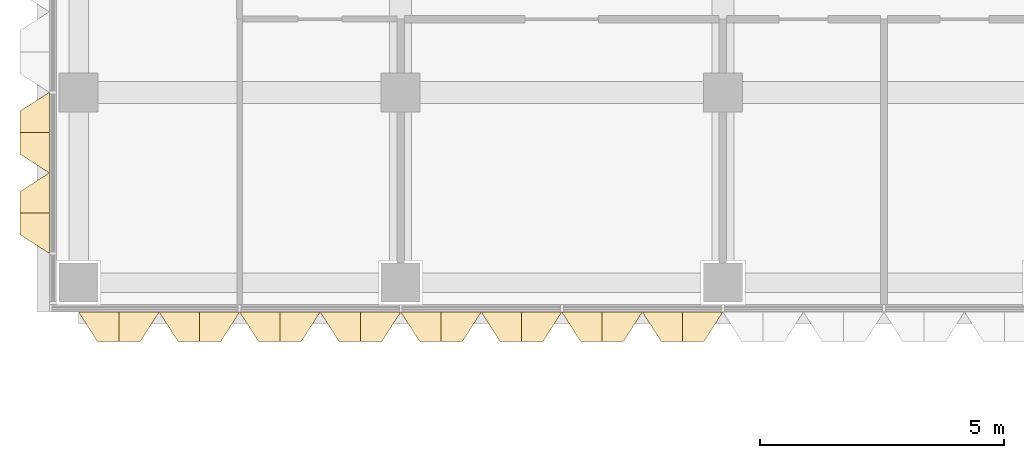
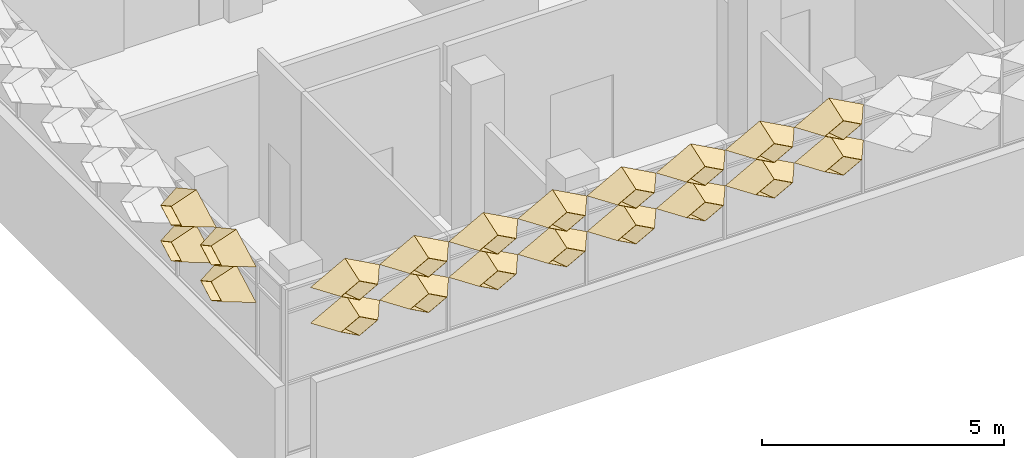
# One storey, part 56 of 102: 20 coverings.
"""IFC4 building model written with IfcOpenShell, lengths in metres."""

from ifc_helpers import new_model, entity, si_unit, direction, frame, origin, place, context, subcontext, project, spatial, material, layer, layer_set, type_object, element, save


model = new_model("IFC4")

# Units and contexts
model_context = context("Model", 3, precision=1e-05, world=origin(), true_north=direction((0.0, 1.0)))
body_context = subcontext(model_context, "Body", "Model", "MODEL_VIEW")
ifc_project = project(units=[si_unit("LENGTHUNIT", "METRE"), si_unit("AREAUNIT", "SQUARE_METRE"), si_unit("VOLUMEUNIT", "CUBIC_METRE"), si_unit("PLANEANGLEUNIT", "RADIAN"), si_unit("MASSUNIT", "GRAM", prefix="KILO")], contexts=[model_context])

# Site, building, storey
site_placement = place(None, origin())
site = spatial("IfcSite", under=ifc_project, at=site_placement, CompositionType="ELEMENT")
building_placement = place(site_placement, origin())
building = spatial("IfcBuilding", under=site, at=building_placement, Name="Lantern Court Research Institute", CompositionType="ELEMENT")
storey_placement = place(building_placement, frame((0.0, 0.0, 9.89990234375)))
storey = spatial("IfcBuildingStorey", under=building, at=storey_placement, Name="L02", CompositionType="ELEMENT", Elevation=9.89990234375)

# Coverings
ifc_material = material(Name="Anodised aluminium", Category="aluminium")
ifc_layer = layer(ifc_material, 0.01611328125)
ifc_layer_set = layer_set([ifc_layer], Name="Anodised aluminium")
covering_type = type_object("IfcCoveringType", Name="Fin cassette 1650 x 900 x 600 aluminium", PredefinedType="CLADDING", material=ifc_layer_set)
covering_1_placement = place(storey_placement, frame((0.824951171875, -4.5, 3.150146484375), z_axis=(0.0, -1.0, 0.0), x_axis=(1.0, 0.0, 0.0)))
cartesian_point_1 = entity("IfcCartesianPoint", [0.824951171875, 0.0])
cartesian_point_2 = entity("IfcCartesianPoint", [0.79150390625, 0.0])
cartesian_point_3 = entity("IfcCartesianPoint", [0.44189453125, 0.0])
cartesian_point_4 = entity("IfcCartesianPoint", [0.43359375, 0.0])
element("IfcCovering", 1, at=covering_1_placement, inside=storey, type_object=covering_type, Name="Fin cassette V4S-L02 4.1", PredefinedType="CLADDING", context=body_context, shape_type="SweptSolid", body=[
    entity("IfcExtrudedAreaSolidTapered", entity("IfcArbitraryProfileDefWithVoids", "AREA", None, entity("IfcPolyline", [cartesian_point_1, entity("IfcCartesianPoint", [0.0, 0.449951171875]), entity("IfcCartesianPoint", [-0.824951171875, 0.0]), entity("IfcCartesianPoint", [0.0, -0.449951171875]), cartesian_point_1]), [entity("IfcPolyline", [cartesian_point_2, entity("IfcCartesianPoint", [0.0, 0.431884765625]), entity("IfcCartesianPoint", [-0.79150390625, 0.0]), entity("IfcCartesianPoint", [0.0, -0.431884765625]), cartesian_point_2])]), entity("IfcAxis2Placement3D", entity("IfcCartesianPoint", [0.0, 0.0, 0.0])), entity("IfcDirection", [0.0, 0.0, 1.0]), 0.60009765625, entity("IfcArbitraryProfileDefWithVoids", "AREA", None, entity("IfcPolyline", [cartesian_point_3, entity("IfcCartesianPoint", [0.0, 0.240966796875]), entity("IfcCartesianPoint", [-0.44189453125, 0.0]), entity("IfcCartesianPoint", [0.0, -0.240966796875]), cartesian_point_3]), [entity("IfcPolyline", [cartesian_point_4, entity("IfcCartesianPoint", [0.0, 0.236572265625]), entity("IfcCartesianPoint", [-0.43359375, 0.0]), entity("IfcCartesianPoint", [0.0, -0.236572265625]), cartesian_point_4])])),
])
covering_2_placement = place(storey_placement, frame((2.47509765625, -4.5, 3.150146484375), z_axis=(0.0, -1.0, 0.0), x_axis=(1.0, 0.0, 0.0)))
cartesian_point_5 = entity("IfcCartesianPoint", [0.824951171875, 0.0])
cartesian_point_6 = entity("IfcCartesianPoint", [0.79150390625, 0.0])
cartesian_point_7 = entity("IfcCartesianPoint", [0.44189453125, 0.0])
cartesian_point_8 = entity("IfcCartesianPoint", [0.43359375, 0.0])
element("IfcCovering", 2, at=covering_2_placement, inside=storey, type_object=covering_type, Name="Fin cassette V4S-L02 4.2", PredefinedType="CLADDING", context=body_context, shape_type="SweptSolid", body=[
    entity("IfcExtrudedAreaSolidTapered", entity("IfcArbitraryProfileDefWithVoids", "AREA", None, entity("IfcPolyline", [cartesian_point_5, entity("IfcCartesianPoint", [0.0, 0.449951171875]), entity("IfcCartesianPoint", [-0.824951171875, 0.0]), entity("IfcCartesianPoint", [0.0, -0.449951171875]), cartesian_point_5]), [entity("IfcPolyline", [cartesian_point_6, entity("IfcCartesianPoint", [0.0, 0.431884765625]), entity("IfcCartesianPoint", [-0.79150390625, 0.0]), entity("IfcCartesianPoint", [0.0, -0.431884765625]), cartesian_point_6])]), entity("IfcAxis2Placement3D", entity("IfcCartesianPoint", [0.0, 0.0, 0.0])), entity("IfcDirection", [0.0, 0.0, 1.0]), 0.60009765625, entity("IfcArbitraryProfileDefWithVoids", "AREA", None, entity("IfcPolyline", [cartesian_point_7, entity("IfcCartesianPoint", [0.0, 0.240966796875]), entity("IfcCartesianPoint", [-0.44189453125, 0.0]), entity("IfcCartesianPoint", [0.0, -0.240966796875]), cartesian_point_7]), [entity("IfcPolyline", [cartesian_point_8, entity("IfcCartesianPoint", [0.0, 0.236572265625]), entity("IfcCartesianPoint", [-0.43359375, 0.0]), entity("IfcCartesianPoint", [0.0, -0.236572265625]), cartesian_point_8])])),
])
covering_3_placement = place(storey_placement, frame((4.125, -4.5, 3.150146484375), z_axis=(0.0, -1.0, 0.0), x_axis=(1.0, 0.0, 0.0)))
cartesian_point_9 = entity("IfcCartesianPoint", [0.824951171875, 0.0])
cartesian_point_10 = entity("IfcCartesianPoint", [0.79150390625, 0.0])
cartesian_point_11 = entity("IfcCartesianPoint", [0.44189453125, 0.0])
cartesian_point_12 = entity("IfcCartesianPoint", [0.43359375, 0.0])
element("IfcCovering", 3, at=covering_3_placement, inside=storey, type_object=covering_type, Name="Fin cassette V4S-L02 4.3", PredefinedType="CLADDING", context=body_context, shape_type="SweptSolid", body=[
    entity("IfcExtrudedAreaSolidTapered", entity("IfcArbitraryProfileDefWithVoids", "AREA", None, entity("IfcPolyline", [cartesian_point_9, entity("IfcCartesianPoint", [0.0, 0.449951171875]), entity("IfcCartesianPoint", [-0.824951171875, 0.0]), entity("IfcCartesianPoint", [0.0, -0.449951171875]), cartesian_point_9]), [entity("IfcPolyline", [cartesian_point_10, entity("IfcCartesianPoint", [0.0, 0.431884765625]), entity("IfcCartesianPoint", [-0.79150390625, 0.0]), entity("IfcCartesianPoint", [0.0, -0.431884765625]), cartesian_point_10])]), entity("IfcAxis2Placement3D", entity("IfcCartesianPoint", [0.0, 0.0, 0.0])), entity("IfcDirection", [0.0, 0.0, 1.0]), 0.60009765625, entity("IfcArbitraryProfileDefWithVoids", "AREA", None, entity("IfcPolyline", [cartesian_point_11, entity("IfcCartesianPoint", [0.0, 0.240966796875]), entity("IfcCartesianPoint", [-0.44189453125, 0.0]), entity("IfcCartesianPoint", [0.0, -0.240966796875]), cartesian_point_11]), [entity("IfcPolyline", [cartesian_point_12, entity("IfcCartesianPoint", [0.0, 0.236572265625]), entity("IfcCartesianPoint", [-0.43359375, 0.0]), entity("IfcCartesianPoint", [0.0, -0.236572265625]), cartesian_point_12])])),
])
covering_4_placement = place(storey_placement, frame((5.77490234375, -4.5, 3.150146484375), z_axis=(0.0, -1.0, 0.0), x_axis=(1.0, 0.0, 0.0)))
cartesian_point_13 = entity("IfcCartesianPoint", [0.824951171875, 0.0])
cartesian_point_14 = entity("IfcCartesianPoint", [0.79150390625, 0.0])
cartesian_point_15 = entity("IfcCartesianPoint", [0.44189453125, 0.0])
cartesian_point_16 = entity("IfcCartesianPoint", [0.43359375, 0.0])
element("IfcCovering", 4, at=covering_4_placement, inside=storey, type_object=covering_type, Name="Fin cassette V4S-L02 4.4", PredefinedType="CLADDING", context=body_context, shape_type="SweptSolid", body=[
    entity("IfcExtrudedAreaSolidTapered", entity("IfcArbitraryProfileDefWithVoids", "AREA", None, entity("IfcPolyline", [cartesian_point_13, entity("IfcCartesianPoint", [0.0, 0.449951171875]), entity("IfcCartesianPoint", [-0.824951171875, 0.0]), entity("IfcCartesianPoint", [0.0, -0.449951171875]), cartesian_point_13]), [entity("IfcPolyline", [cartesian_point_14, entity("IfcCartesianPoint", [0.0, 0.431884765625]), entity("IfcCartesianPoint", [-0.79150390625, 0.0]), entity("IfcCartesianPoint", [0.0, -0.431884765625]), cartesian_point_14])]), entity("IfcAxis2Placement3D", entity("IfcCartesianPoint", [0.0, 0.0, 0.0])), entity("IfcDirection", [0.0, 0.0, 1.0]), 0.60009765625, entity("IfcArbitraryProfileDefWithVoids", "AREA", None, entity("IfcPolyline", [cartesian_point_15, entity("IfcCartesianPoint", [0.0, 0.240966796875]), entity("IfcCartesianPoint", [-0.44189453125, 0.0]), entity("IfcCartesianPoint", [0.0, -0.240966796875]), cartesian_point_15]), [entity("IfcPolyline", [cartesian_point_16, entity("IfcCartesianPoint", [0.0, 0.236572265625]), entity("IfcCartesianPoint", [-0.43359375, 0.0]), entity("IfcCartesianPoint", [0.0, -0.236572265625]), cartesian_point_16])])),
])
covering_5_placement = place(storey_placement, frame((7.425048828125, -4.5, 3.150146484375), z_axis=(0.0, -1.0, 0.0), x_axis=(1.0, 0.0, 0.0)))
cartesian_point_17 = entity("IfcCartesianPoint", [0.824951171875, 0.0])
cartesian_point_18 = entity("IfcCartesianPoint", [0.79150390625, 0.0])
cartesian_point_19 = entity("IfcCartesianPoint", [0.44189453125, 0.0])
cartesian_point_20 = entity("IfcCartesianPoint", [0.43359375, 0.0])
element("IfcCovering", 5, at=covering_5_placement, inside=storey, type_object=covering_type, Name="Fin cassette V4S-L02 4.5", PredefinedType="CLADDING", context=body_context, shape_type="SweptSolid", body=[
    entity("IfcExtrudedAreaSolidTapered", entity("IfcArbitraryProfileDefWithVoids", "AREA", None, entity("IfcPolyline", [cartesian_point_17, entity("IfcCartesianPoint", [0.0, 0.449951171875]), entity("IfcCartesianPoint", [-0.824951171875, 0.0]), entity("IfcCartesianPoint", [0.0, -0.449951171875]), cartesian_point_17]), [entity("IfcPolyline", [cartesian_point_18, entity("IfcCartesianPoint", [0.0, 0.431884765625]), entity("IfcCartesianPoint", [-0.79150390625, 0.0]), entity("IfcCartesianPoint", [0.0, -0.431884765625]), cartesian_point_18])]), entity("IfcAxis2Placement3D", entity("IfcCartesianPoint", [0.0, 0.0, 0.0])), entity("IfcDirection", [0.0, 0.0, 1.0]), 0.60009765625, entity("IfcArbitraryProfileDefWithVoids", "AREA", None, entity("IfcPolyline", [cartesian_point_19, entity("IfcCartesianPoint", [0.0, 0.240966796875]), entity("IfcCartesianPoint", [-0.44189453125, 0.0]), entity("IfcCartesianPoint", [0.0, -0.240966796875]), cartesian_point_19]), [entity("IfcPolyline", [cartesian_point_20, entity("IfcCartesianPoint", [0.0, 0.236572265625]), entity("IfcCartesianPoint", [-0.43359375, 0.0]), entity("IfcCartesianPoint", [0.0, -0.236572265625]), cartesian_point_20])])),
])
covering_6_placement = place(storey_placement, frame((9.074951171875, -4.5, 3.150146484375), z_axis=(0.0, -1.0, 0.0), x_axis=(1.0, 0.0, 0.0)))
cartesian_point_21 = entity("IfcCartesianPoint", [0.824951171875, 0.0])
cartesian_point_22 = entity("IfcCartesianPoint", [0.79150390625, 0.0])
cartesian_point_23 = entity("IfcCartesianPoint", [0.44189453125, 0.0])
cartesian_point_24 = entity("IfcCartesianPoint", [0.43359375, 0.0])
element("IfcCovering", 6, at=covering_6_placement, inside=storey, type_object=covering_type, Name="Fin cassette V4S-L02 4.6", PredefinedType="CLADDING", context=body_context, shape_type="SweptSolid", body=[
    entity("IfcExtrudedAreaSolidTapered", entity("IfcArbitraryProfileDefWithVoids", "AREA", None, entity("IfcPolyline", [cartesian_point_21, entity("IfcCartesianPoint", [0.0, 0.449951171875]), entity("IfcCartesianPoint", [-0.824951171875, 0.0]), entity("IfcCartesianPoint", [0.0, -0.449951171875]), cartesian_point_21]), [entity("IfcPolyline", [cartesian_point_22, entity("IfcCartesianPoint", [0.0, 0.431884765625]), entity("IfcCartesianPoint", [-0.79150390625, 0.0]), entity("IfcCartesianPoint", [0.0, -0.431884765625]), cartesian_point_22])]), entity("IfcAxis2Placement3D", entity("IfcCartesianPoint", [0.0, 0.0, 0.0])), entity("IfcDirection", [0.0, 0.0, 1.0]), 0.60009765625, entity("IfcArbitraryProfileDefWithVoids", "AREA", None, entity("IfcPolyline", [cartesian_point_23, entity("IfcCartesianPoint", [0.0, 0.240966796875]), entity("IfcCartesianPoint", [-0.44189453125, 0.0]), entity("IfcCartesianPoint", [0.0, -0.240966796875]), cartesian_point_23]), [entity("IfcPolyline", [cartesian_point_24, entity("IfcCartesianPoint", [0.0, 0.236572265625]), entity("IfcCartesianPoint", [-0.43359375, 0.0]), entity("IfcCartesianPoint", [0.0, -0.236572265625]), cartesian_point_24])])),
])
covering_7_placement = place(storey_placement, frame((10.72509765625, -4.5, 3.150146484375), z_axis=(0.0, -1.0, 0.0), x_axis=(1.0, 0.0, 0.0)))
cartesian_point_25 = entity("IfcCartesianPoint", [0.824951171875, 0.0])
cartesian_point_26 = entity("IfcCartesianPoint", [0.79150390625, 0.0])
cartesian_point_27 = entity("IfcCartesianPoint", [0.44189453125, 0.0])
cartesian_point_28 = entity("IfcCartesianPoint", [0.43359375, 0.0])
element("IfcCovering", 7, at=covering_7_placement, inside=storey, type_object=covering_type, Name="Fin cassette V4S-L02 4.7", PredefinedType="CLADDING", context=body_context, shape_type="SweptSolid", body=[
    entity("IfcExtrudedAreaSolidTapered", entity("IfcArbitraryProfileDefWithVoids", "AREA", None, entity("IfcPolyline", [cartesian_point_25, entity("IfcCartesianPoint", [0.0, 0.449951171875]), entity("IfcCartesianPoint", [-0.824951171875, 0.0]), entity("IfcCartesianPoint", [0.0, -0.449951171875]), cartesian_point_25]), [entity("IfcPolyline", [cartesian_point_26, entity("IfcCartesianPoint", [0.0, 0.431884765625]), entity("IfcCartesianPoint", [-0.79150390625, 0.0]), entity("IfcCartesianPoint", [0.0, -0.431884765625]), cartesian_point_26])]), entity("IfcAxis2Placement3D", entity("IfcCartesianPoint", [0.0, 0.0, 0.0])), entity("IfcDirection", [0.0, 0.0, 1.0]), 0.60009765625, entity("IfcArbitraryProfileDefWithVoids", "AREA", None, entity("IfcPolyline", [cartesian_point_27, entity("IfcCartesianPoint", [0.0, 0.240966796875]), entity("IfcCartesianPoint", [-0.44189453125, 0.0]), entity("IfcCartesianPoint", [0.0, -0.240966796875]), cartesian_point_27]), [entity("IfcPolyline", [cartesian_point_28, entity("IfcCartesianPoint", [0.0, 0.236572265625]), entity("IfcCartesianPoint", [-0.43359375, 0.0]), entity("IfcCartesianPoint", [0.0, -0.236572265625]), cartesian_point_28])])),
])
covering_8_placement = place(storey_placement, frame((12.375, -4.5, 3.150146484375), z_axis=(0.0, -1.0, 0.0), x_axis=(1.0, 0.0, 0.0)))
cartesian_point_29 = entity("IfcCartesianPoint", [0.824951171875, 0.0])
cartesian_point_30 = entity("IfcCartesianPoint", [0.79150390625, 0.0])
cartesian_point_31 = entity("IfcCartesianPoint", [0.44189453125, 0.0])
cartesian_point_32 = entity("IfcCartesianPoint", [0.43359375, 0.0])
element("IfcCovering", 8, at=covering_8_placement, inside=storey, type_object=covering_type, Name="Fin cassette V4S-L02 4.8", PredefinedType="CLADDING", context=body_context, shape_type="SweptSolid", body=[
    entity("IfcExtrudedAreaSolidTapered", entity("IfcArbitraryProfileDefWithVoids", "AREA", None, entity("IfcPolyline", [cartesian_point_29, entity("IfcCartesianPoint", [0.0, 0.449951171875]), entity("IfcCartesianPoint", [-0.824951171875, 0.0]), entity("IfcCartesianPoint", [0.0, -0.449951171875]), cartesian_point_29]), [entity("IfcPolyline", [cartesian_point_30, entity("IfcCartesianPoint", [0.0, 0.431884765625]), entity("IfcCartesianPoint", [-0.79150390625, 0.0]), entity("IfcCartesianPoint", [0.0, -0.431884765625]), cartesian_point_30])]), entity("IfcAxis2Placement3D", entity("IfcCartesianPoint", [0.0, 0.0, 0.0])), entity("IfcDirection", [0.0, 0.0, 1.0]), 0.60009765625, entity("IfcArbitraryProfileDefWithVoids", "AREA", None, entity("IfcPolyline", [cartesian_point_31, entity("IfcCartesianPoint", [0.0, 0.240966796875]), entity("IfcCartesianPoint", [-0.44189453125, 0.0]), entity("IfcCartesianPoint", [0.0, -0.240966796875]), cartesian_point_31]), [entity("IfcPolyline", [cartesian_point_32, entity("IfcCartesianPoint", [0.0, 0.236572265625]), entity("IfcCartesianPoint", [-0.43359375, 0.0]), entity("IfcCartesianPoint", [0.0, -0.236572265625]), cartesian_point_32])])),
])
covering_9_placement = place(storey_placement, frame((0.824951171875, -4.5, 4.050048828125), z_axis=(0.0, -1.0, 0.0), x_axis=(1.0, 0.0, 0.0)))
cartesian_point_33 = entity("IfcCartesianPoint", [0.824951171875, 0.0])
cartesian_point_34 = entity("IfcCartesianPoint", [0.79150390625, 0.0])
cartesian_point_35 = entity("IfcCartesianPoint", [0.44189453125, 0.0])
cartesian_point_36 = entity("IfcCartesianPoint", [0.43359375, 0.0])
element("IfcCovering", 9, at=covering_9_placement, inside=storey, type_object=covering_type, Name="Fin cassette V4S-L02 5.1", PredefinedType="CLADDING", context=body_context, shape_type="SweptSolid", body=[
    entity("IfcExtrudedAreaSolidTapered", entity("IfcArbitraryProfileDefWithVoids", "AREA", None, entity("IfcPolyline", [cartesian_point_33, entity("IfcCartesianPoint", [0.0, 0.449951171875]), entity("IfcCartesianPoint", [-0.824951171875, 0.0]), entity("IfcCartesianPoint", [0.0, -0.449951171875]), cartesian_point_33]), [entity("IfcPolyline", [cartesian_point_34, entity("IfcCartesianPoint", [0.0, 0.431884765625]), entity("IfcCartesianPoint", [-0.79150390625, 0.0]), entity("IfcCartesianPoint", [0.0, -0.431884765625]), cartesian_point_34])]), entity("IfcAxis2Placement3D", entity("IfcCartesianPoint", [0.0, 0.0, 0.0])), entity("IfcDirection", [0.0, 0.0, 1.0]), 0.60009765625, entity("IfcArbitraryProfileDefWithVoids", "AREA", None, entity("IfcPolyline", [cartesian_point_35, entity("IfcCartesianPoint", [0.0, 0.240966796875]), entity("IfcCartesianPoint", [-0.44189453125, 0.0]), entity("IfcCartesianPoint", [0.0, -0.240966796875]), cartesian_point_35]), [entity("IfcPolyline", [cartesian_point_36, entity("IfcCartesianPoint", [0.0, 0.236572265625]), entity("IfcCartesianPoint", [-0.43359375, 0.0]), entity("IfcCartesianPoint", [0.0, -0.236572265625]), cartesian_point_36])])),
])
covering_10_placement = place(storey_placement, frame((2.47509765625, -4.5, 4.050048828125), z_axis=(0.0, -1.0, 0.0), x_axis=(1.0, 0.0, 0.0)))
cartesian_point_37 = entity("IfcCartesianPoint", [0.824951171875, 0.0])
cartesian_point_38 = entity("IfcCartesianPoint", [0.79150390625, 0.0])
cartesian_point_39 = entity("IfcCartesianPoint", [0.44189453125, 0.0])
cartesian_point_40 = entity("IfcCartesianPoint", [0.43359375, 0.0])
element("IfcCovering", 10, at=covering_10_placement, inside=storey, type_object=covering_type, Name="Fin cassette V4S-L02 5.2", PredefinedType="CLADDING", context=body_context, shape_type="SweptSolid", body=[
    entity("IfcExtrudedAreaSolidTapered", entity("IfcArbitraryProfileDefWithVoids", "AREA", None, entity("IfcPolyline", [cartesian_point_37, entity("IfcCartesianPoint", [0.0, 0.449951171875]), entity("IfcCartesianPoint", [-0.824951171875, 0.0]), entity("IfcCartesianPoint", [0.0, -0.449951171875]), cartesian_point_37]), [entity("IfcPolyline", [cartesian_point_38, entity("IfcCartesianPoint", [0.0, 0.431884765625]), entity("IfcCartesianPoint", [-0.79150390625, 0.0]), entity("IfcCartesianPoint", [0.0, -0.431884765625]), cartesian_point_38])]), entity("IfcAxis2Placement3D", entity("IfcCartesianPoint", [0.0, 0.0, 0.0])), entity("IfcDirection", [0.0, 0.0, 1.0]), 0.60009765625, entity("IfcArbitraryProfileDefWithVoids", "AREA", None, entity("IfcPolyline", [cartesian_point_39, entity("IfcCartesianPoint", [0.0, 0.240966796875]), entity("IfcCartesianPoint", [-0.44189453125, 0.0]), entity("IfcCartesianPoint", [0.0, -0.240966796875]), cartesian_point_39]), [entity("IfcPolyline", [cartesian_point_40, entity("IfcCartesianPoint", [0.0, 0.236572265625]), entity("IfcCartesianPoint", [-0.43359375, 0.0]), entity("IfcCartesianPoint", [0.0, -0.236572265625]), cartesian_point_40])])),
])
covering_11_placement = place(storey_placement, frame((4.125, -4.5, 4.050048828125), z_axis=(0.0, -1.0, 0.0), x_axis=(1.0, 0.0, 0.0)))
cartesian_point_41 = entity("IfcCartesianPoint", [0.824951171875, 0.0])
cartesian_point_42 = entity("IfcCartesianPoint", [0.79150390625, 0.0])
cartesian_point_43 = entity("IfcCartesianPoint", [0.44189453125, 0.0])
cartesian_point_44 = entity("IfcCartesianPoint", [0.43359375, 0.0])
element("IfcCovering", 11, at=covering_11_placement, inside=storey, type_object=covering_type, Name="Fin cassette V4S-L02 5.3", PredefinedType="CLADDING", context=body_context, shape_type="SweptSolid", body=[
    entity("IfcExtrudedAreaSolidTapered", entity("IfcArbitraryProfileDefWithVoids", "AREA", None, entity("IfcPolyline", [cartesian_point_41, entity("IfcCartesianPoint", [0.0, 0.449951171875]), entity("IfcCartesianPoint", [-0.824951171875, 0.0]), entity("IfcCartesianPoint", [0.0, -0.449951171875]), cartesian_point_41]), [entity("IfcPolyline", [cartesian_point_42, entity("IfcCartesianPoint", [0.0, 0.431884765625]), entity("IfcCartesianPoint", [-0.79150390625, 0.0]), entity("IfcCartesianPoint", [0.0, -0.431884765625]), cartesian_point_42])]), entity("IfcAxis2Placement3D", entity("IfcCartesianPoint", [0.0, 0.0, 0.0])), entity("IfcDirection", [0.0, 0.0, 1.0]), 0.60009765625, entity("IfcArbitraryProfileDefWithVoids", "AREA", None, entity("IfcPolyline", [cartesian_point_43, entity("IfcCartesianPoint", [0.0, 0.240966796875]), entity("IfcCartesianPoint", [-0.44189453125, 0.0]), entity("IfcCartesianPoint", [0.0, -0.240966796875]), cartesian_point_43]), [entity("IfcPolyline", [cartesian_point_44, entity("IfcCartesianPoint", [0.0, 0.236572265625]), entity("IfcCartesianPoint", [-0.43359375, 0.0]), entity("IfcCartesianPoint", [0.0, -0.236572265625]), cartesian_point_44])])),
])
covering_12_placement = place(storey_placement, frame((5.77490234375, -4.5, 4.050048828125), z_axis=(0.0, -1.0, 0.0), x_axis=(1.0, 0.0, 0.0)))
cartesian_point_45 = entity("IfcCartesianPoint", [0.824951171875, 0.0])
cartesian_point_46 = entity("IfcCartesianPoint", [0.79150390625, 0.0])
cartesian_point_47 = entity("IfcCartesianPoint", [0.44189453125, 0.0])
cartesian_point_48 = entity("IfcCartesianPoint", [0.43359375, 0.0])
element("IfcCovering", 12, at=covering_12_placement, inside=storey, type_object=covering_type, Name="Fin cassette V4S-L02 5.4", PredefinedType="CLADDING", context=body_context, shape_type="SweptSolid", body=[
    entity("IfcExtrudedAreaSolidTapered", entity("IfcArbitraryProfileDefWithVoids", "AREA", None, entity("IfcPolyline", [cartesian_point_45, entity("IfcCartesianPoint", [0.0, 0.449951171875]), entity("IfcCartesianPoint", [-0.824951171875, 0.0]), entity("IfcCartesianPoint", [0.0, -0.449951171875]), cartesian_point_45]), [entity("IfcPolyline", [cartesian_point_46, entity("IfcCartesianPoint", [0.0, 0.431884765625]), entity("IfcCartesianPoint", [-0.79150390625, 0.0]), entity("IfcCartesianPoint", [0.0, -0.431884765625]), cartesian_point_46])]), entity("IfcAxis2Placement3D", entity("IfcCartesianPoint", [0.0, 0.0, 0.0])), entity("IfcDirection", [0.0, 0.0, 1.0]), 0.60009765625, entity("IfcArbitraryProfileDefWithVoids", "AREA", None, entity("IfcPolyline", [cartesian_point_47, entity("IfcCartesianPoint", [0.0, 0.240966796875]), entity("IfcCartesianPoint", [-0.44189453125, 0.0]), entity("IfcCartesianPoint", [0.0, -0.240966796875]), cartesian_point_47]), [entity("IfcPolyline", [cartesian_point_48, entity("IfcCartesianPoint", [0.0, 0.236572265625]), entity("IfcCartesianPoint", [-0.43359375, 0.0]), entity("IfcCartesianPoint", [0.0, -0.236572265625]), cartesian_point_48])])),
])
covering_13_placement = place(storey_placement, frame((7.425048828125, -4.5, 4.050048828125), z_axis=(0.0, -1.0, 0.0), x_axis=(1.0, 0.0, 0.0)))
cartesian_point_49 = entity("IfcCartesianPoint", [0.824951171875, 0.0])
cartesian_point_50 = entity("IfcCartesianPoint", [0.79150390625, 0.0])
cartesian_point_51 = entity("IfcCartesianPoint", [0.44189453125, 0.0])
cartesian_point_52 = entity("IfcCartesianPoint", [0.43359375, 0.0])
element("IfcCovering", 13, at=covering_13_placement, inside=storey, type_object=covering_type, Name="Fin cassette V4S-L02 5.5", PredefinedType="CLADDING", context=body_context, shape_type="SweptSolid", body=[
    entity("IfcExtrudedAreaSolidTapered", entity("IfcArbitraryProfileDefWithVoids", "AREA", None, entity("IfcPolyline", [cartesian_point_49, entity("IfcCartesianPoint", [0.0, 0.449951171875]), entity("IfcCartesianPoint", [-0.824951171875, 0.0]), entity("IfcCartesianPoint", [0.0, -0.449951171875]), cartesian_point_49]), [entity("IfcPolyline", [cartesian_point_50, entity("IfcCartesianPoint", [0.0, 0.431884765625]), entity("IfcCartesianPoint", [-0.79150390625, 0.0]), entity("IfcCartesianPoint", [0.0, -0.431884765625]), cartesian_point_50])]), entity("IfcAxis2Placement3D", entity("IfcCartesianPoint", [0.0, 0.0, 0.0])), entity("IfcDirection", [0.0, 0.0, 1.0]), 0.60009765625, entity("IfcArbitraryProfileDefWithVoids", "AREA", None, entity("IfcPolyline", [cartesian_point_51, entity("IfcCartesianPoint", [0.0, 0.240966796875]), entity("IfcCartesianPoint", [-0.44189453125, 0.0]), entity("IfcCartesianPoint", [0.0, -0.240966796875]), cartesian_point_51]), [entity("IfcPolyline", [cartesian_point_52, entity("IfcCartesianPoint", [0.0, 0.236572265625]), entity("IfcCartesianPoint", [-0.43359375, 0.0]), entity("IfcCartesianPoint", [0.0, -0.236572265625]), cartesian_point_52])])),
])
covering_14_placement = place(storey_placement, frame((9.074951171875, -4.5, 4.050048828125), z_axis=(0.0, -1.0, 0.0), x_axis=(1.0, 0.0, 0.0)))
cartesian_point_53 = entity("IfcCartesianPoint", [0.824951171875, 0.0])
cartesian_point_54 = entity("IfcCartesianPoint", [0.79150390625, 0.0])
cartesian_point_55 = entity("IfcCartesianPoint", [0.44189453125, 0.0])
cartesian_point_56 = entity("IfcCartesianPoint", [0.43359375, 0.0])
element("IfcCovering", 14, at=covering_14_placement, inside=storey, type_object=covering_type, Name="Fin cassette V4S-L02 5.6", PredefinedType="CLADDING", context=body_context, shape_type="SweptSolid", body=[
    entity("IfcExtrudedAreaSolidTapered", entity("IfcArbitraryProfileDefWithVoids", "AREA", None, entity("IfcPolyline", [cartesian_point_53, entity("IfcCartesianPoint", [0.0, 0.449951171875]), entity("IfcCartesianPoint", [-0.824951171875, 0.0]), entity("IfcCartesianPoint", [0.0, -0.449951171875]), cartesian_point_53]), [entity("IfcPolyline", [cartesian_point_54, entity("IfcCartesianPoint", [0.0, 0.431884765625]), entity("IfcCartesianPoint", [-0.79150390625, 0.0]), entity("IfcCartesianPoint", [0.0, -0.431884765625]), cartesian_point_54])]), entity("IfcAxis2Placement3D", entity("IfcCartesianPoint", [0.0, 0.0, 0.0])), entity("IfcDirection", [0.0, 0.0, 1.0]), 0.60009765625, entity("IfcArbitraryProfileDefWithVoids", "AREA", None, entity("IfcPolyline", [cartesian_point_55, entity("IfcCartesianPoint", [0.0, 0.240966796875]), entity("IfcCartesianPoint", [-0.44189453125, 0.0]), entity("IfcCartesianPoint", [0.0, -0.240966796875]), cartesian_point_55]), [entity("IfcPolyline", [cartesian_point_56, entity("IfcCartesianPoint", [0.0, 0.236572265625]), entity("IfcCartesianPoint", [-0.43359375, 0.0]), entity("IfcCartesianPoint", [0.0, -0.236572265625]), cartesian_point_56])])),
])
covering_15_placement = place(storey_placement, frame((10.72509765625, -4.5, 4.050048828125), z_axis=(0.0, -1.0, 0.0), x_axis=(1.0, 0.0, 0.0)))
cartesian_point_57 = entity("IfcCartesianPoint", [0.824951171875, 0.0])
cartesian_point_58 = entity("IfcCartesianPoint", [0.79150390625, 0.0])
cartesian_point_59 = entity("IfcCartesianPoint", [0.44189453125, 0.0])
cartesian_point_60 = entity("IfcCartesianPoint", [0.43359375, 0.0])
element("IfcCovering", 15, at=covering_15_placement, inside=storey, type_object=covering_type, Name="Fin cassette V4S-L02 5.7", PredefinedType="CLADDING", context=body_context, shape_type="SweptSolid", body=[
    entity("IfcExtrudedAreaSolidTapered", entity("IfcArbitraryProfileDefWithVoids", "AREA", None, entity("IfcPolyline", [cartesian_point_57, entity("IfcCartesianPoint", [0.0, 0.449951171875]), entity("IfcCartesianPoint", [-0.824951171875, 0.0]), entity("IfcCartesianPoint", [0.0, -0.449951171875]), cartesian_point_57]), [entity("IfcPolyline", [cartesian_point_58, entity("IfcCartesianPoint", [0.0, 0.431884765625]), entity("IfcCartesianPoint", [-0.79150390625, 0.0]), entity("IfcCartesianPoint", [0.0, -0.431884765625]), cartesian_point_58])]), entity("IfcAxis2Placement3D", entity("IfcCartesianPoint", [0.0, 0.0, 0.0])), entity("IfcDirection", [0.0, 0.0, 1.0]), 0.60009765625, entity("IfcArbitraryProfileDefWithVoids", "AREA", None, entity("IfcPolyline", [cartesian_point_59, entity("IfcCartesianPoint", [0.0, 0.240966796875]), entity("IfcCartesianPoint", [-0.44189453125, 0.0]), entity("IfcCartesianPoint", [0.0, -0.240966796875]), cartesian_point_59]), [entity("IfcPolyline", [cartesian_point_60, entity("IfcCartesianPoint", [0.0, 0.236572265625]), entity("IfcCartesianPoint", [-0.43359375, 0.0]), entity("IfcCartesianPoint", [0.0, -0.236572265625]), cartesian_point_60])])),
])
covering_16_placement = place(storey_placement, frame((12.375, -4.5, 4.050048828125), z_axis=(0.0, -1.0, 0.0), x_axis=(1.0, 0.0, 0.0)))
cartesian_point_61 = entity("IfcCartesianPoint", [0.824951171875, 0.0])
cartesian_point_62 = entity("IfcCartesianPoint", [0.79150390625, 0.0])
cartesian_point_63 = entity("IfcCartesianPoint", [0.44189453125, 0.0])
cartesian_point_64 = entity("IfcCartesianPoint", [0.43359375, 0.0])
element("IfcCovering", 16, at=covering_16_placement, inside=storey, type_object=covering_type, Name="Fin cassette V4S-L02 5.8", PredefinedType="CLADDING", context=body_context, shape_type="SweptSolid", body=[
    entity("IfcExtrudedAreaSolidTapered", entity("IfcArbitraryProfileDefWithVoids", "AREA", None, entity("IfcPolyline", [cartesian_point_61, entity("IfcCartesianPoint", [0.0, 0.449951171875]), entity("IfcCartesianPoint", [-0.824951171875, 0.0]), entity("IfcCartesianPoint", [0.0, -0.449951171875]), cartesian_point_61]), [entity("IfcPolyline", [cartesian_point_62, entity("IfcCartesianPoint", [0.0, 0.431884765625]), entity("IfcCartesianPoint", [-0.79150390625, 0.0]), entity("IfcCartesianPoint", [0.0, -0.431884765625]), cartesian_point_62])]), entity("IfcAxis2Placement3D", entity("IfcCartesianPoint", [0.0, 0.0, 0.0])), entity("IfcDirection", [0.0, 0.0, 1.0]), 0.60009765625, entity("IfcArbitraryProfileDefWithVoids", "AREA", None, entity("IfcPolyline", [cartesian_point_63, entity("IfcCartesianPoint", [0.0, 0.240966796875]), entity("IfcCartesianPoint", [-0.44189453125, 0.0]), entity("IfcCartesianPoint", [0.0, -0.240966796875]), cartesian_point_63]), [entity("IfcPolyline", [cartesian_point_64, entity("IfcCartesianPoint", [0.0, 0.236572265625]), entity("IfcCartesianPoint", [-0.43359375, 0.0]), entity("IfcCartesianPoint", [0.0, -0.236572265625]), cartesian_point_64])])),
])
covering_17_placement = place(storey_placement, frame((-0.60009765625, -2.47509765625, 3.150146484375), z_axis=(-1.0, 0.0, 0.0), x_axis=(0.0, -1.0, 0.0)))
cartesian_point_65 = entity("IfcCartesianPoint", [0.824951171875, 0.0])
cartesian_point_66 = entity("IfcCartesianPoint", [0.79150390625, 0.0])
cartesian_point_67 = entity("IfcCartesianPoint", [0.44189453125, 0.0])
cartesian_point_68 = entity("IfcCartesianPoint", [0.43359375, 0.0])
element("IfcCovering", 17, at=covering_17_placement, inside=storey, type_object=covering_type, Name="Fin cassette V4W-L02 4.-1", PredefinedType="CLADDING", context=body_context, shape_type="SweptSolid", body=[
    entity("IfcExtrudedAreaSolidTapered", entity("IfcArbitraryProfileDefWithVoids", "AREA", None, entity("IfcPolyline", [cartesian_point_65, entity("IfcCartesianPoint", [0.0, 0.449951171875]), entity("IfcCartesianPoint", [-0.824951171875, 0.0]), entity("IfcCartesianPoint", [0.0, -0.449951171875]), cartesian_point_65]), [entity("IfcPolyline", [cartesian_point_66, entity("IfcCartesianPoint", [0.0, 0.431884765625]), entity("IfcCartesianPoint", [-0.79150390625, 0.0]), entity("IfcCartesianPoint", [0.0, -0.431884765625]), cartesian_point_66])]), entity("IfcAxis2Placement3D", entity("IfcCartesianPoint", [0.0, 0.0, 0.0])), entity("IfcDirection", [0.0, 0.0, 1.0]), 0.60009765625, entity("IfcArbitraryProfileDefWithVoids", "AREA", None, entity("IfcPolyline", [cartesian_point_67, entity("IfcCartesianPoint", [0.0, 0.240966796875]), entity("IfcCartesianPoint", [-0.44189453125, 0.0]), entity("IfcCartesianPoint", [0.0, -0.240966796875]), cartesian_point_67]), [entity("IfcPolyline", [cartesian_point_68, entity("IfcCartesianPoint", [0.0, 0.236572265625]), entity("IfcCartesianPoint", [-0.43359375, 0.0]), entity("IfcCartesianPoint", [0.0, -0.236572265625]), cartesian_point_68])])),
])
covering_18_placement = place(storey_placement, frame((-0.60009765625, -0.824951171875, 3.150146484375), z_axis=(-1.0, 0.0, 0.0), x_axis=(0.0, -1.0, 0.0)))
cartesian_point_69 = entity("IfcCartesianPoint", [0.824951171875, 0.0])
cartesian_point_70 = entity("IfcCartesianPoint", [0.79150390625, 0.0])
cartesian_point_71 = entity("IfcCartesianPoint", [0.44189453125, 0.0])
cartesian_point_72 = entity("IfcCartesianPoint", [0.43359375, 0.0])
element("IfcCovering", 18, at=covering_18_placement, inside=storey, type_object=covering_type, Name="Fin cassette V4W-L02 4.0", PredefinedType="CLADDING", context=body_context, shape_type="SweptSolid", body=[
    entity("IfcExtrudedAreaSolidTapered", entity("IfcArbitraryProfileDefWithVoids", "AREA", None, entity("IfcPolyline", [cartesian_point_69, entity("IfcCartesianPoint", [0.0, 0.449951171875]), entity("IfcCartesianPoint", [-0.824951171875, 0.0]), entity("IfcCartesianPoint", [0.0, -0.449951171875]), cartesian_point_69]), [entity("IfcPolyline", [cartesian_point_70, entity("IfcCartesianPoint", [0.0, 0.431884765625]), entity("IfcCartesianPoint", [-0.79150390625, 0.0]), entity("IfcCartesianPoint", [0.0, -0.431884765625]), cartesian_point_70])]), entity("IfcAxis2Placement3D", entity("IfcCartesianPoint", [0.0, 0.0, 0.0])), entity("IfcDirection", [0.0, 0.0, 1.0]), 0.60009765625, entity("IfcArbitraryProfileDefWithVoids", "AREA", None, entity("IfcPolyline", [cartesian_point_71, entity("IfcCartesianPoint", [0.0, 0.240966796875]), entity("IfcCartesianPoint", [-0.44189453125, 0.0]), entity("IfcCartesianPoint", [0.0, -0.240966796875]), cartesian_point_71]), [entity("IfcPolyline", [cartesian_point_72, entity("IfcCartesianPoint", [0.0, 0.236572265625]), entity("IfcCartesianPoint", [-0.43359375, 0.0]), entity("IfcCartesianPoint", [0.0, -0.236572265625]), cartesian_point_72])])),
])
covering_19_placement = place(storey_placement, frame((-0.60009765625, -2.47509765625, 4.050048828125), z_axis=(-1.0, 0.0, 0.0), x_axis=(0.0, -1.0, 0.0)))
cartesian_point_73 = entity("IfcCartesianPoint", [0.824951171875, 0.0])
cartesian_point_74 = entity("IfcCartesianPoint", [0.79150390625, 0.0])
cartesian_point_75 = entity("IfcCartesianPoint", [0.44189453125, 0.0])
cartesian_point_76 = entity("IfcCartesianPoint", [0.43359375, 0.0])
element("IfcCovering", 19, at=covering_19_placement, inside=storey, type_object=covering_type, Name="Fin cassette V4W-L02 5.-1", PredefinedType="CLADDING", context=body_context, shape_type="SweptSolid", body=[
    entity("IfcExtrudedAreaSolidTapered", entity("IfcArbitraryProfileDefWithVoids", "AREA", None, entity("IfcPolyline", [cartesian_point_73, entity("IfcCartesianPoint", [0.0, 0.449951171875]), entity("IfcCartesianPoint", [-0.824951171875, 0.0]), entity("IfcCartesianPoint", [0.0, -0.449951171875]), cartesian_point_73]), [entity("IfcPolyline", [cartesian_point_74, entity("IfcCartesianPoint", [0.0, 0.431884765625]), entity("IfcCartesianPoint", [-0.79150390625, 0.0]), entity("IfcCartesianPoint", [0.0, -0.431884765625]), cartesian_point_74])]), entity("IfcAxis2Placement3D", entity("IfcCartesianPoint", [0.0, 0.0, 0.0])), entity("IfcDirection", [0.0, 0.0, 1.0]), 0.60009765625, entity("IfcArbitraryProfileDefWithVoids", "AREA", None, entity("IfcPolyline", [cartesian_point_75, entity("IfcCartesianPoint", [0.0, 0.240966796875]), entity("IfcCartesianPoint", [-0.44189453125, 0.0]), entity("IfcCartesianPoint", [0.0, -0.240966796875]), cartesian_point_75]), [entity("IfcPolyline", [cartesian_point_76, entity("IfcCartesianPoint", [0.0, 0.236572265625]), entity("IfcCartesianPoint", [-0.43359375, 0.0]), entity("IfcCartesianPoint", [0.0, -0.236572265625]), cartesian_point_76])])),
])
covering_20_placement = place(storey_placement, frame((-0.60009765625, -0.824951171875, 4.050048828125), z_axis=(-1.0, 0.0, 0.0), x_axis=(0.0, -1.0, 0.0)))
cartesian_point_77 = entity("IfcCartesianPoint", [0.824951171875, 0.0])
cartesian_point_78 = entity("IfcCartesianPoint", [0.79150390625, 0.0])
cartesian_point_79 = entity("IfcCartesianPoint", [0.44189453125, 0.0])
cartesian_point_80 = entity("IfcCartesianPoint", [0.43359375, 0.0])
element("IfcCovering", 20, at=covering_20_placement, inside=storey, type_object=covering_type, Name="Fin cassette V4W-L02 5.0", PredefinedType="CLADDING", context=body_context, shape_type="SweptSolid", body=[
    entity("IfcExtrudedAreaSolidTapered", entity("IfcArbitraryProfileDefWithVoids", "AREA", None, entity("IfcPolyline", [cartesian_point_77, entity("IfcCartesianPoint", [0.0, 0.449951171875]), entity("IfcCartesianPoint", [-0.824951171875, 0.0]), entity("IfcCartesianPoint", [0.0, -0.449951171875]), cartesian_point_77]), [entity("IfcPolyline", [cartesian_point_78, entity("IfcCartesianPoint", [0.0, 0.431884765625]), entity("IfcCartesianPoint", [-0.79150390625, 0.0]), entity("IfcCartesianPoint", [0.0, -0.431884765625]), cartesian_point_78])]), entity("IfcAxis2Placement3D", entity("IfcCartesianPoint", [0.0, 0.0, 0.0])), entity("IfcDirection", [0.0, 0.0, 1.0]), 0.60009765625, entity("IfcArbitraryProfileDefWithVoids", "AREA", None, entity("IfcPolyline", [cartesian_point_79, entity("IfcCartesianPoint", [0.0, 0.240966796875]), entity("IfcCartesianPoint", [-0.44189453125, 0.0]), entity("IfcCartesianPoint", [0.0, -0.240966796875]), cartesian_point_79]), [entity("IfcPolyline", [cartesian_point_80, entity("IfcCartesianPoint", [0.0, 0.236572265625]), entity("IfcCartesianPoint", [-0.43359375, 0.0]), entity("IfcCartesianPoint", [0.0, -0.236572265625]), cartesian_point_80])])),
])

save(model, "model.ifc")
